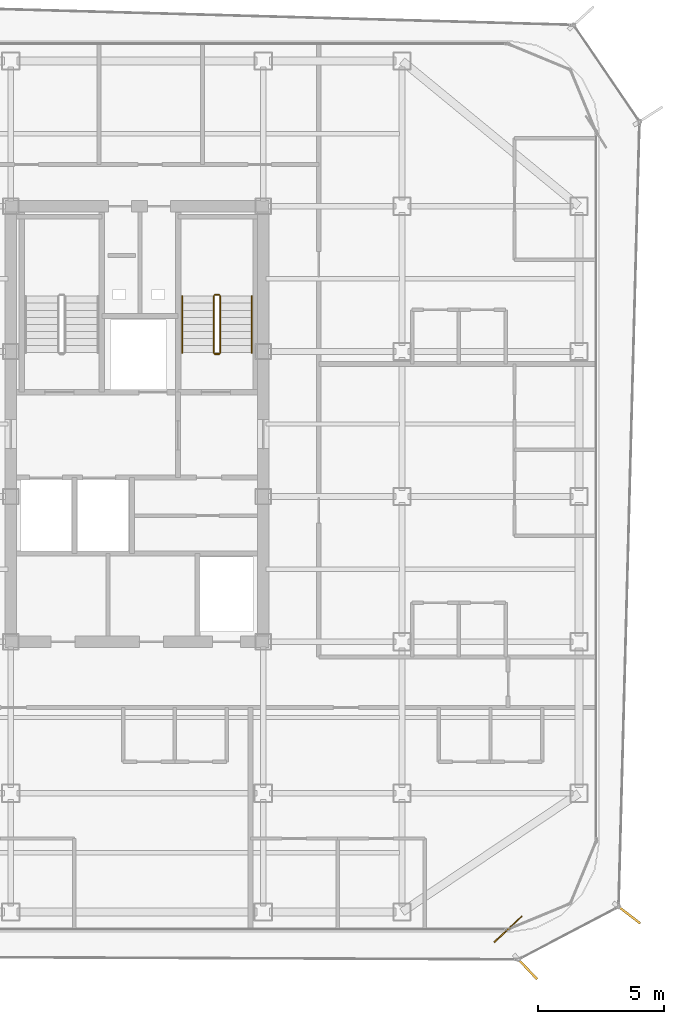
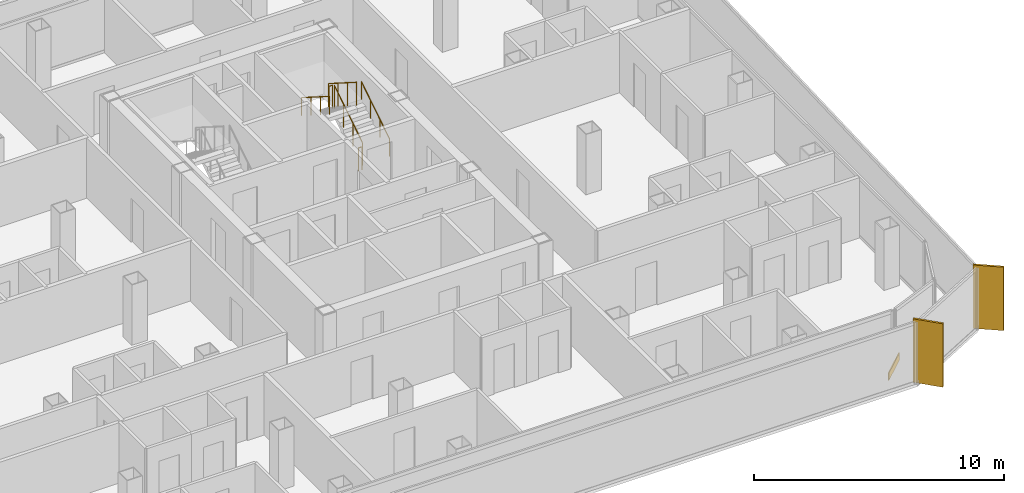
# One storey, part 15 of 16: 6 railings, 2 shading devices, 1 covering.
"""IFC4 building model written with IfcOpenShell, lengths in metres."""

from ifc_helpers import new_model, si_unit, direction, frame, origin, origin_2d, place, context, subcontext, project, spatial, rectangle, circle, extrude, source, transform, mapped, material, layer, layer_set, type_object, element, save


model = new_model("IFC4")

# Units and contexts
model_context = context("Model", 3, precision=1e-05, world=origin(), true_north=direction((0.0, 1.0)))
body_context = subcontext(model_context, "Body", "Model", "MODEL_VIEW")
ifc_project = project(units=[si_unit("LENGTHUNIT", "METRE"), si_unit("AREAUNIT", "SQUARE_METRE"), si_unit("VOLUMEUNIT", "CUBIC_METRE"), si_unit("PLANEANGLEUNIT", "RADIAN"), si_unit("MASSUNIT", "GRAM", prefix="KILO")], contexts=[model_context])

# Site, building, storey
site_placement = place(None, origin())
site = spatial("IfcSite", under=ifc_project, at=site_placement, CompositionType="ELEMENT")
building_placement = place(site_placement, origin())
building = spatial("IfcBuilding", under=site, at=building_placement, Name="Kolveth Station Tower", CompositionType="ELEMENT")
storey_placement = place(building_placement, frame((0.0, 0.0, 159.300048828125)))
storey = spatial("IfcBuildingStorey", under=building, at=storey_placement, Name="L44", CompositionType="ELEMENT", Elevation=159.300048828125)

# Railings
ifc_material_1 = material(Name="Painted Steel S355 balustrade", Category="steel")
railing_type_1 = type_object("IfcRailingType", Name="Guard_GR2", PredefinedType="BALUSTRADE", material=ifc_material_1)
railing_1_placement = place(storey_placement, frame((26.800048828125, 22.949951171875, 0.177734375)))
element("IfcRailing", 1, at=railing_1_placement, inside=storey, type_object=railing_type_1, Name="L44 ST2 stair guard 1", PredefinedType="BALUSTRADE", context=body_context, shape_type="SweptSolid", body=[
    extrude(circle(Radius=0.02392578125, at=origin_2d()), frame((0.0, 0.0, 1.1259765625), z_axis=(0.0, 0.8442293374, 0.53598211339), x_axis=(-1.0, 0.0, 0.0)), (0.0, 0.0, 1.0), 2.6533203125),
    extrude(circle(Radius=0.02099609375, at=origin_2d()), origin(), (0.0, 0.0, 1.0), 1.101806640625),
    extrude(circle(Radius=0.02099609375, at=origin_2d()), frame((0.0, 0.74658203125, 0.47412109375)), (0.0, 0.0, 1.0), 1.101806640625),
    extrude(circle(Radius=0.02099609375, at=origin_2d()), frame((0.0, 1.493408203125, 0.947998046875)), (0.0, 0.0, 1.0), 1.101806640625),
    extrude(circle(Radius=0.02099609375, at=origin_2d()), frame((0.0, 2.239990234375, 1.422119140625)), (0.0, 0.0, 1.0), 1.101806640625),
])
railing_2_placement = place(storey_placement, frame((26.75, 25.239990234375, 1.599853515625)))
element("IfcRailing", 2, at=railing_2_placement, inside=storey, type_object=railing_type_1, Name="L44 ST2 stair guard 2", PredefinedType="BALUSTRADE", context=body_context, shape_type="SweptSolid", body=[
    extrude(circle(Radius=0.02392578125, at=origin_2d()), frame((0.0, 0.0, 1.1259765625), z_axis=(-1.0, 0.0, 0.0), x_axis=(0.0, -1.0, 0.0)), (0.0, 0.0, 1.0), 0.159912109375),
    extrude(circle(Radius=0.02099609375, at=origin_2d()), origin(), (0.0, 0.0, 1.0), 1.101806640625),
    extrude(circle(Radius=0.02099609375, at=origin_2d()), frame((-0.159912109375, 0.0, 0.0)), (0.0, 0.0, 1.0), 1.101806640625),
])
railing_3_placement = place(storey_placement, frame((26.5400390625, 25.18994140625, 1.77783203125)))
element("IfcRailing", 3, at=railing_3_placement, inside=storey, type_object=railing_type_1, Name="L44 ST2 stair guard 3", PredefinedType="BALUSTRADE", context=body_context, shape_type="SweptSolid", body=[
    extrude(circle(Radius=0.02392578125, at=origin_2d()), frame((0.0, 0.0, 1.1259765625), z_axis=(0.0, -0.8442293374, 0.53598211339), x_axis=(1.0, 0.0, 0.0)), (0.0, 0.0, 1.0), 2.6533203125),
    extrude(circle(Radius=0.02099609375, at=origin_2d()), origin(), (0.0, 0.0, 1.0), 1.101806640625),
    extrude(circle(Radius=0.02099609375, at=origin_2d()), frame((0.0, -0.74658203125, 0.47412109375)), (0.0, 0.0, 1.0), 1.101806640625),
    extrude(circle(Radius=0.02099609375, at=origin_2d()), frame((0.0, -1.493408203125, 0.947998046875)), (0.0, 0.0, 1.0), 1.101806640625),
    extrude(circle(Radius=0.02099609375, at=origin_2d()), frame((0.0, -2.239990234375, 1.422119140625)), (0.0, 0.0, 1.0), 1.101806640625),
])
railing_4_placement = place(storey_placement, frame((26.75, 22.89990234375, 0.0)))
element("IfcRailing", 4, at=railing_4_placement, inside=storey, type_object=railing_type_1, Name="L44 ST2 stair guard 4", PredefinedType="BALUSTRADE", context=body_context, shape_type="SweptSolid", body=[
    extrude(circle(Radius=0.02392578125, at=origin_2d()), frame((0.0, 0.0, 1.1259765625), z_axis=(-1.0, 0.0, 0.0), x_axis=(0.0, -1.0, 0.0)), (0.0, 0.0, 1.0), 0.159912109375),
    extrude(circle(Radius=0.02099609375, at=origin_2d()), origin(), (0.0, 0.0, 1.0), 1.101806640625),
    extrude(circle(Radius=0.02099609375, at=origin_2d()), frame((-0.159912109375, 0.0, 0.0)), (0.0, 0.0, 1.0), 1.101806640625),
])
ifc_material_2 = material(Name="Brushed stainless steel", Category="steel")
railing_type_2 = type_object("IfcRailingType", Name="Handrail_HR1", PredefinedType="HANDRAIL", material=ifc_material_2)
railing_5_placement = place(storey_placement, frame((28.050048828125, 22.949951171875, 0.177734375)))
element("IfcRailing", 5, at=railing_5_placement, inside=storey, type_object=railing_type_2, Name="L44 ST2 stair handrail 1", PredefinedType="HANDRAIL", context=body_context, shape_type="SweptSolid", body=[
    extrude(circle(Radius=0.02392578125, at=origin_2d()), frame((0.0, 0.0, 0.8759765625), z_axis=(0.0, 0.8442293374, 0.53598211339), x_axis=(-1.0, 0.0, 0.0)), (0.0, 0.0, 1.0), 2.6533203125),
    extrude(circle(Radius=0.02099609375, at=origin_2d()), origin(), (0.0, 0.0, 1.0), 0.851806640625),
    extrude(circle(Radius=0.02099609375, at=origin_2d()), frame((0.0, 0.74658203125, 0.47412109375)), (0.0, 0.0, 1.0), 0.851806640625),
    extrude(circle(Radius=0.02099609375, at=origin_2d()), frame((0.0, 1.493408203125, 0.947998046875)), (0.0, 0.0, 1.0), 0.851806640625),
    extrude(circle(Radius=0.02099609375, at=origin_2d()), frame((0.0, 2.239990234375, 1.422119140625)), (0.0, 0.0, 1.0), 0.851806640625),
])
railing_6_placement = place(storey_placement, frame((25.2900390625, 25.18994140625, 1.77783203125)))
element("IfcRailing", 6, at=railing_6_placement, inside=storey, type_object=railing_type_2, Name="L44 ST2 stair handrail 2", PredefinedType="HANDRAIL", context=body_context, shape_type="SweptSolid", body=[
    extrude(circle(Radius=0.02392578125, at=origin_2d()), frame((0.0, 0.0, 0.8759765625), z_axis=(0.0, -0.8442293374, 0.53598211339), x_axis=(1.0, 0.0, 0.0)), (0.0, 0.0, 1.0), 2.6533203125),
    extrude(circle(Radius=0.02099609375, at=origin_2d()), origin(), (0.0, 0.0, 1.0), 0.851806640625),
    extrude(circle(Radius=0.02099609375, at=origin_2d()), frame((0.0, -0.74658203125, 0.47412109375)), (0.0, 0.0, 1.0), 0.851806640625),
    extrude(circle(Radius=0.02099609375, at=origin_2d()), frame((0.0, -1.493408203125, 0.947998046875)), (0.0, 0.0, 1.0), 0.851806640625),
    extrude(circle(Radius=0.02099609375, at=origin_2d()), frame((0.0, -2.239990234375, 1.422119140625)), (0.0, 0.0, 1.0), 0.851806640625),
])

# Shading devices
ifc_material_3 = material(Name="Black anodized aluminium 6063-T6", Category="aluminium")
shading_device_type = type_object("IfcShadingDeviceType", Name="FIN_VF1", PredefinedType="USERDEFINED", material=ifc_material_3)
shared_shape_1 = source(origin(), body_context, "Body", "SweptSolid", [
    extrude(rectangle(XDim=1.25, YDim=0.090087890625, at=origin_2d()), origin(), (0.0, 0.0, 1.0), 3.10009765625),
])
for number, where, z_axis, x_axis, name in (
    (7, (38.91796875, -1.407958984375, 0.0), (0.0, 0.0, 1.0), (0.686960689137, -0.726694579297, 0.0), "L44 Dark-Aluminium Solar Fin 1"),
    (8, (42.93408203125, 0.73095703125, 0.0), (0.0, 0.0, 1.0), (0.793140794136, -0.609038324474, 0.0), "L44 Dark-Aluminium Solar Fin 2"),
):
    element("IfcShadingDevice", number, at=place(storey_placement, frame(where, z_axis=z_axis, x_axis=x_axis)), inside=storey, type_object=shading_device_type, Name=name, ObjectType="FIN", PredefinedType="USERDEFINED", context=body_context, shape_type="MappedRepresentation", body=[
        mapped(shared_shape_1, transform((0.0, 0.0, 0.0), x_axis=(1.0, 0.0, 0.0), y_axis=(0.0, 1.0, 0.0), z_axis=(0.0, 0.0, 1.0), scale=1.0)),
    ])

# Covering
ifc_material_4 = material(Name="Charcoal anodized aluminium spandrel cladding", Category="aluminium")
ifc_layer = layer(ifc_material_4, 0.044921875)
ifc_layer_set = layer_set([ifc_layer], Name="Charcoal anodized aluminium spandrel cladding")
covering_type = type_object("IfcCoveringType", Name="Clad_CD1", PredefinedType="CLADDING", material=ifc_layer_set)
shared_shape_2 = source(origin(), body_context, "Body", "SweptSolid", [
    extrude(rectangle(XDim=1.5, YDim=0.044921875, at=origin_2d()), origin(), (0.0, 0.0, 1.0), 0.360107421875),
])
covering_placement = place(storey_placement, frame((38.199951171875, 0.1201171875, 0.0), z_axis=(0.0, 0.0, 1.0), x_axis=(0.726694579297, 0.686960689137, 0.0)))
element("IfcCovering", 9, at=covering_placement, inside=storey, type_object=covering_type, Name="L44 Spandrel Edge Cladding 1", PredefinedType="CLADDING", context=body_context, shape_type="MappedRepresentation", body=[
    mapped(shared_shape_2, transform((0.0, 0.0, 0.0), x_axis=(1.0, 0.0, 0.0), y_axis=(0.0, 1.0, 0.0), z_axis=(0.0, 0.0, 1.0), scale=1.0)),
])

save(model, "model.ifc")
